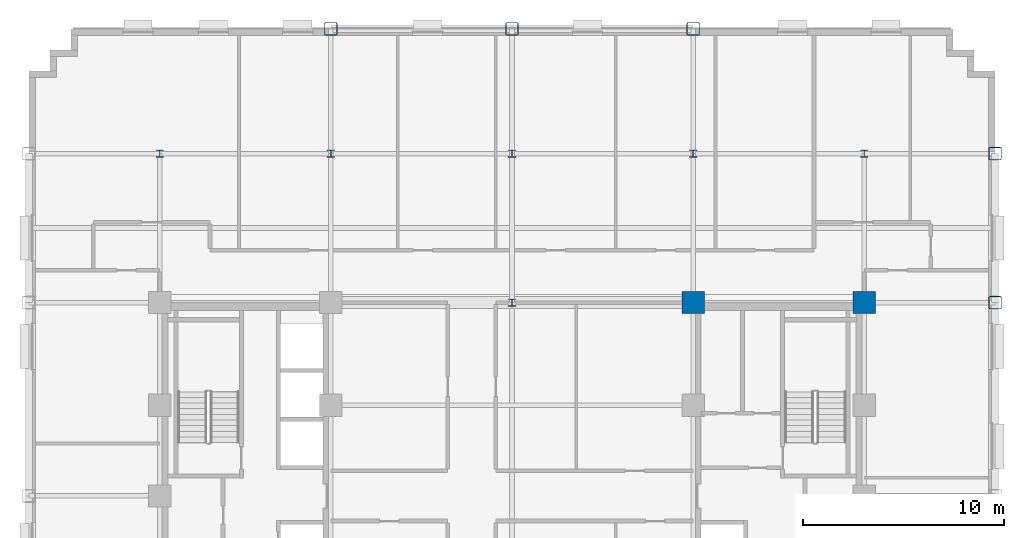
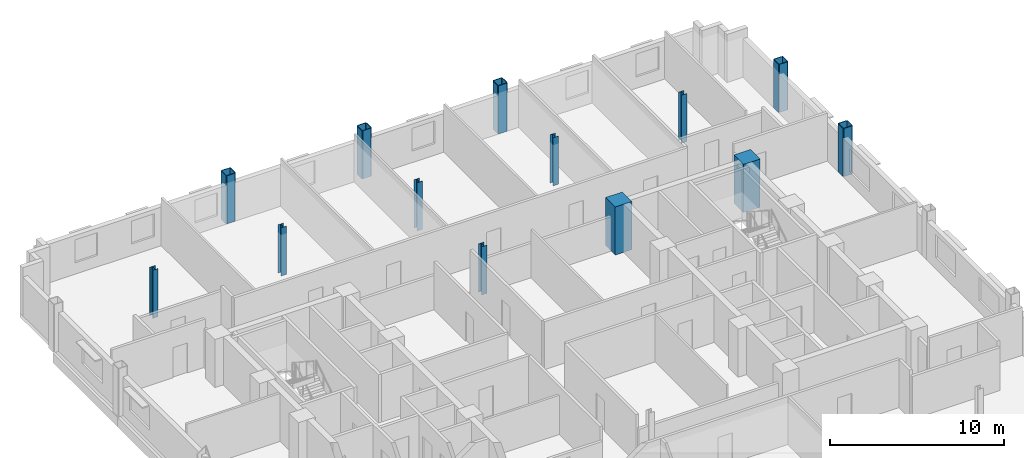
# One storey, part 3 of 14: 13 columns.
"""IFC4 building model written with IfcOpenShell, lengths in metres."""

from ifc_helpers import new_model, si_unit, direction, frame, origin, origin_2d, place, context, subcontext, project, spatial, rectangle, hollow_rectangle, i_section, extrude, material, material_profile, profile_set, type_object, element, save


model = new_model("IFC4")

# Units and contexts
model_context = context("Model", 3, precision=1e-05, world=origin(), true_north=direction((0.0, 1.0)))
body_context = subcontext(model_context, "Body", "Model", "MODEL_VIEW")
ifc_project = project(units=[si_unit("LENGTHUNIT", "METRE"), si_unit("AREAUNIT", "SQUARE_METRE"), si_unit("VOLUMEUNIT", "CUBIC_METRE"), si_unit("PLANEANGLEUNIT", "RADIAN"), si_unit("MASSUNIT", "GRAM", prefix="KILO")], contexts=[model_context])

# Site, building, storey
site_placement = place(None, origin())
site = spatial("IfcSite", under=ifc_project, at=site_placement, CompositionType="ELEMENT")
building_placement = place(site_placement, origin())
building = spatial("IfcBuilding", under=site, at=building_placement, Name="Nuvemarco Arch Tower", CompositionType="ELEMENT")
storey_placement = place(building_placement, frame((0.0, 0.0, 109.25)))
storey = spatial("IfcBuildingStorey", under=building, at=storey_placement, Name="L28", CompositionType="ELEMENT", Elevation=109.25)

# Columns
ifc_material_1 = material(Name="Concrete C60/75", Category="concrete")
ifc_material_profile_1 = material_profile(ifc_material_1, rectangle(XDim=1.10009765625, YDim=1.10009765625, at=origin_2d()), Name="RC-COL-1100x1100")
ifc_profile_set_1 = profile_set([ifc_material_profile_1], Name="Concrete C60/75")
column_type_1 = type_object("IfcColumnType", Name="COL-CORE-1100", PredefinedType="COLUMN", material=ifc_profile_set_1)
for number, where, z_axis, x_axis, name in (
    (1, (9.0, 9.60009765625, 0.0), (0.0, 0.0, 1.0), (1.0, 0.0, 0.0), "L28 column CC_+9.0_+9.6"),
    (2, (17.5, 9.60009765625, 0.0), (0.0, 0.0, 1.0), (1.0, 0.0, 0.0), "L28 column CC_+17.5_+9.6"),
):
    element("IfcColumn", number, at=place(storey_placement, frame(where, z_axis=z_axis, x_axis=x_axis)), inside=storey, type_object=column_type_1, Name=name, PredefinedType="COLUMN", context=body_context, shape_type="SweptSolid", body=[
        extrude(rectangle(XDim=1.10009765625, YDim=1.10009765625, at=origin_2d()), origin(), (0.0, 0.0, 1.0), 3.3701171875),
    ])
ifc_material_2 = material(Name="Steel S355", Category="steel")
ifc_material_profile_2 = material_profile(ifc_material_2, hollow_rectangle(XDim=0.64990234375, YDim=0.64990234375, WallThickness=0.0400390625, InnerFilletRadius=0.0400390625, OuterFilletRadius=0.080078125, at=origin_2d()), Name="SHS650x650x40")
ifc_profile_set_2 = profile_set([ifc_material_profile_2], Name="Steel S355")
column_type_2 = type_object("IfcColumnType", Name="COL-EXO-650", PredefinedType="COLUMN", material=ifc_profile_set_2)
for number, where, z_axis, x_axis, name in (
    (3, (24.0, 9.60009765625, 0.0), (0.0, 0.0, 1.0), (1.0, 0.0, 0.0), "L28 column CX_+24.0_+9.6"),
    (4, (24.0, 17.0, 0.0), (0.0, 0.0, 1.0), (1.0, 0.0, 0.0), "L28 column CX_+24.0_+17.0"),
    (5, (-9.0, 23.199951171875, 0.0), (0.0, 0.0, 1.0), (1.0, 0.0, 0.0), "L28 column CY_-9.0_+23.2"),
    (6, (0.0, 23.199951171875, 0.0), (0.0, 0.0, 1.0), (1.0, 0.0, 0.0), "L28 column CY_+0.0_+23.2"),
    (7, (9.0, 23.199951171875, 0.0), (0.0, 0.0, 1.0), (1.0, 0.0, 0.0), "L28 column CY_+9.0_+23.2"),
):
    element("IfcColumn", number, at=place(storey_placement, frame(where, z_axis=z_axis, x_axis=x_axis)), inside=storey, type_object=column_type_2, Name=name, PredefinedType="COLUMN", context=body_context, shape_type="SweptSolid", body=[
        extrude(hollow_rectangle(XDim=0.64990234375, YDim=0.64990234375, WallThickness=0.0400390625, InnerFilletRadius=0.0400390625, OuterFilletRadius=0.080078125, at=origin_2d()), origin(), (0.0, 0.0, 1.0), 3.3701171875),
    ])
ifc_material_profile_3 = material_profile(ifc_material_2, i_section(OverallWidth=0.360107421875, OverallDepth=0.360107421875, WebThickness=0.0205078125, FlangeThickness=0.0205078125, FilletRadius=0.01806640625, at=origin_2d()), Name="HP360x174")
ifc_profile_set_3 = profile_set([ifc_material_profile_3], Name="Steel S355")
column_type_3 = type_object("IfcColumnType", Name="COL-STL-HP360", PredefinedType="COLUMN", material=ifc_profile_set_3)
for number, where, z_axis, x_axis, name in (
    (8, (0.0, 9.60009765625, 0.0), (0.0, 0.0, 1.0), (1.0, 0.0, 0.0), "L28 column CI_+0.0_+9.6"),
    (9, (0.0, 17.0, 0.0), (0.0, 0.0, 1.0), (1.0, 0.0, 0.0), "L28 column CI_+0.0_+17.0"),
    (10, (-17.5, 17.0, 0.0), (0.0, 0.0, 1.0), (1.0, 0.0, 0.0), "L28 column CI_-17.5_+17.0"),
    (11, (-9.0, 17.0, 0.0), (0.0, 0.0, 1.0), (1.0, 0.0, 0.0), "L28 column CI_-9.0_+17.0"),
    (12, (9.0, 17.0, 0.0), (0.0, 0.0, 1.0), (1.0, 0.0, 0.0), "L28 column CI_+9.0_+17.0"),
    (13, (17.5, 17.0, 0.0), (0.0, 0.0, 1.0), (1.0, 0.0, 0.0), "L28 column CI_+17.5_+17.0"),
):
    element("IfcColumn", number, at=place(storey_placement, frame(where, z_axis=z_axis, x_axis=x_axis)), inside=storey, type_object=column_type_3, Name=name, PredefinedType="COLUMN", context=body_context, shape_type="SweptSolid", body=[
        extrude(i_section(OverallWidth=0.360107421875, OverallDepth=0.360107421875, WebThickness=0.0205078125, FlangeThickness=0.0205078125, FilletRadius=0.01806640625, at=origin_2d()), origin(), (0.0, 0.0, 1.0), 3.3701171875),
    ])

save(model, "model.ifc")
